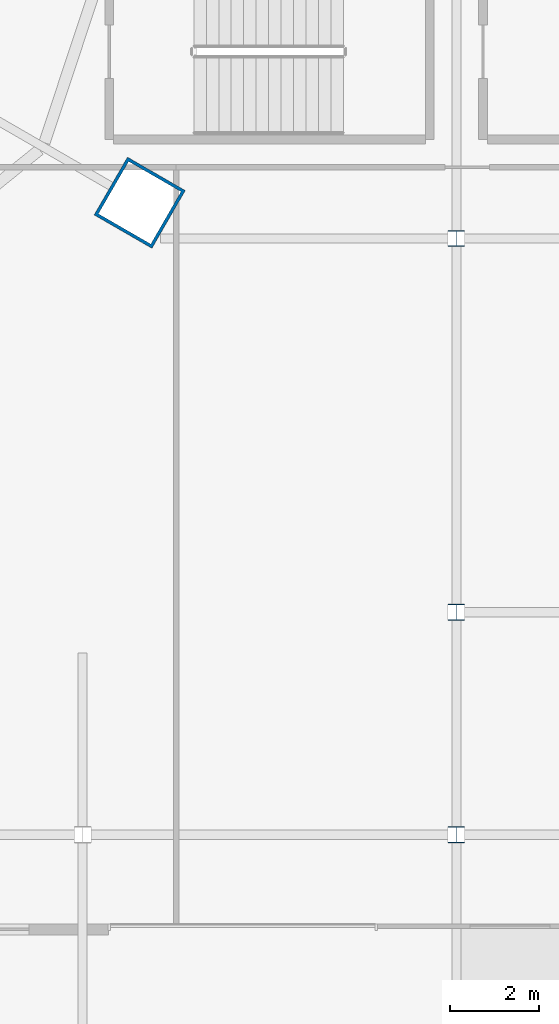
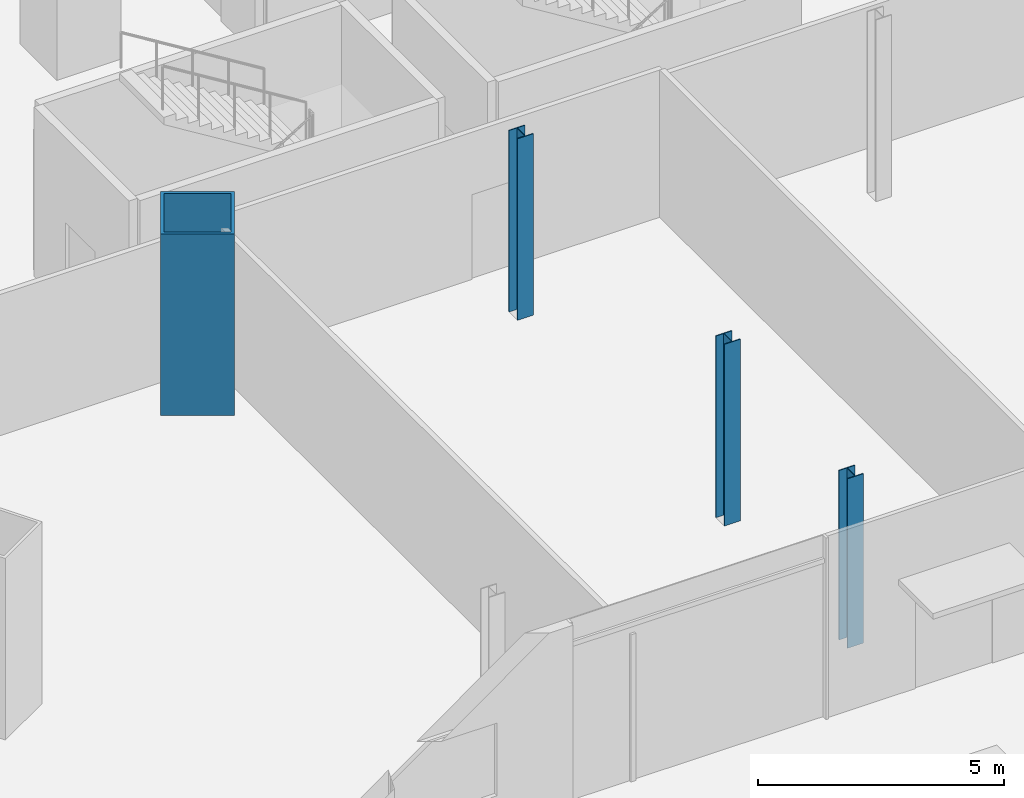
# One storey, part 2 of 52: 4 columns.
"""IFC4 building model written with IfcOpenShell, lengths in metres."""

import ifcopenshell
import ifcopenshell.guid

model = None  # the IFC model being written
_history = None  # IfcOwnerHistory: only IFC2X3 demands one
_inside = {}  # id of a spatial element -> (the spatial element, [elements in it])
_under = {}  # id of a project, library or spatial element -> (it, [spatial elements below it])
_declared = {}  # id of a project -> (the project, [libraries it declares])
_typed = {}  # id of a type object -> (the type object, [elements of that type])
_made_of = {}  # id of a material, layer set ... -> (it, [elements and type objects made of it])


def new_model(schema):
    """Start an empty IFC model of exactly this schema.

    Asked for "IFC4X3", IfcOpenShell would pick the latest addendum, in which some entities
    have other attributes; the version numbers below select the first issue.
    IFC2X3 requires an IfcOwnerHistory on every rooted entity: one is made here for all.
    """
    global model, _history
    if schema == "IFC4X3":
        model = ifcopenshell.file(schema_version=(4, 3, 0, 0))
    else:
        model = ifcopenshell.file(schema=schema)
    _inside.clear()
    _under.clear()
    _declared.clear()
    _typed.clear()
    _made_of.clear()
    _history = None
    if model.schema == "IFC2X3":
        org = make("IfcOrganization", Name="unknown")
        user = make(
            "IfcPersonAndOrganization",
            ThePerson=make("IfcPerson", FamilyName="unknown"),
            TheOrganization=org,
        )
        app = make(
            "IfcApplication",
            ApplicationDeveloper=org,
            Version="unknown",
            ApplicationFullName="unknown",
            ApplicationIdentifier="unknown",
        )
        _history = make(
            "IfcOwnerHistory",
            OwningUser=user,
            OwningApplication=app,
            ChangeAction="ADDED",
            CreationDate=0,
        )
    return model


def make(cls, **values):
    """One entity of the class cls with the attributes given. An attribute that is None is left unset."""
    return model.create_entity(
        cls, **{name: value for name, value in values.items() if value is not None}
    )


def rooted(cls, **values):
    """An entity with a GlobalId (a new one), such as an element, a storey or a relation."""
    return make(cls, GlobalId=ifcopenshell.guid.new(), OwnerHistory=_history, **values)


def si_unit(unit_type, name, prefix=None):
    """IfcSIUnit, for example si_unit("LENGTHUNIT", "METRE", prefix="MILLI")."""
    return make("IfcSIUnit", UnitType=unit_type, Prefix=prefix, Name=name)


def assignment(units):
    """IfcUnitAssignment: the units of a project."""
    return None if units is None else make("IfcUnitAssignment", Units=units)


def point(xyz):
    """IfcCartesianPoint."""
    return None if xyz is None else make("IfcCartesianPoint", Coordinates=xyz)


def direction(xyz):
    """IfcDirection."""
    return None if xyz is None else make("IfcDirection", DirectionRatios=xyz)


def frame(location, z_axis=None, x_axis=None):
    """IfcAxis2Placement3D, a coordinate frame: its origin and axes. An axis left out is left unset."""
    return make(
        "IfcAxis2Placement3D",
        Location=point(location),
        Axis=direction(z_axis),
        RefDirection=direction(x_axis),
    )


def frame_2d(location, x_axis=None):
    """IfcAxis2Placement2D, a coordinate frame in the plane: its origin and x axis."""
    return make(
        "IfcAxis2Placement2D", Location=point(location), RefDirection=direction(x_axis)
    )


def origin():
    """The frame at (0, 0, 0) with its axes left unset."""
    return frame((0.0, 0.0, 0.0))


def origin_2d():
    """The frame at (0, 0) in the plane with its x axis left unset."""
    return frame_2d((0.0, 0.0))


def place(relative_to, where):
    """IfcLocalPlacement: puts the frame where relative to a parent placement (None: the world)."""
    return make(
        "IfcLocalPlacement", PlacementRelTo=relative_to, RelativePlacement=where
    )


def context(
    kind, dimensions, precision=None, world=None, true_north=None, identifier=None
):
    """IfcGeometricRepresentationContext, for example the 3D "Model" context."""
    return make(
        "IfcGeometricRepresentationContext",
        ContextIdentifier=identifier,
        ContextType=kind,
        CoordinateSpaceDimension=dimensions,
        Precision=precision,
        WorldCoordinateSystem=world,
        TrueNorth=true_north,
    )


def subcontext(parent, identifier, kind, view, scale=None):
    """IfcGeometricRepresentationSubContext, for example "Body" below "Model"."""
    return make(
        "IfcGeometricRepresentationSubContext",
        ContextIdentifier=identifier,
        ContextType=kind,
        ParentContext=parent,
        TargetScale=scale,
        TargetView=view,
    )


def project(units=None, contexts=None):
    """IfcProject with its units and contexts."""
    return rooted(
        "IfcProject",
        Name="project",
        RepresentationContexts=contexts,
        UnitsInContext=assignment(units),
    )


def spatial(cls, under=None, at=None, **own):
    """A site, building, storey or space (cls), placed at a placement, below another one or the project."""
    s = rooted(cls, ObjectPlacement=at, **own)
    if under is not None:
        _under.setdefault(under.id(), (under, []))[1].append(s)
    return s


def profile(cls, at=None, kind="AREA", **sizes):
    """A parametric profile (cls). Its sizes go by their IFC names, for example OverallWidth=200.0."""
    return make(cls, ProfileType=kind, Position=at, **sizes)


def hollow_rectangle(**sizes):
    """IfcRectangleHollowProfileDef."""
    return profile("IfcRectangleHollowProfileDef", **sizes)


def i_section(**sizes):
    """IfcIShapeProfileDef."""
    return profile("IfcIShapeProfileDef", **sizes)


def extrude(swept, where, along, depth):
    """IfcExtrudedAreaSolid: the profile swept, set in the frame where, extruded along a direction by depth."""
    return make(
        "IfcExtrudedAreaSolid",
        SweptArea=swept,
        Position=where,
        ExtrudedDirection=direction(along),
        Depth=depth,
    )


def shape(context_of_items, identifier, shape_type, items):
    """IfcShapeRepresentation: the items that make up one representation, for example the "Body"."""
    return make(
        "IfcShapeRepresentation",
        ContextOfItems=context_of_items,
        RepresentationIdentifier=identifier,
        RepresentationType=shape_type,
        Items=items,
    )


def material(Name=None, Category=None):
    """IfcMaterial."""
    return make("IfcMaterial", Name=Name, Category=Category)


def material_profile(
    of_material, cross_section, Name=None, Category=None, Priority=None
):
    """IfcMaterialProfile: a cross section and its material."""
    return make(
        "IfcMaterialProfile",
        Name=Name,
        Material=of_material,
        Profile=cross_section,
        Priority=Priority,
        Category=Category,
    )


def profile_set(profiles, Name=None, composite=None):
    """IfcMaterialProfileSet."""
    return make(
        "IfcMaterialProfileSet",
        Name=Name,
        MaterialProfiles=profiles,
        CompositeProfile=composite,
    )


def made_of(thing, what):
    """Note that an element or type object is made of a material, layer set ...; save() writes the relation."""
    if what is not None:
        _made_of.setdefault(what.id(), (what, []))[1].append(thing)
    return thing


def type_object(cls, material=None, **own):
    """A type object (cls), such as IfcWallType, which elements share."""
    return made_of(rooted(cls, **own), material)


def element(
    cls,
    number,
    at=None,
    inside=None,
    cuts=None,
    type_object=None,
    material=None,
    context=None,
    identifier="Body",
    shape_type=None,
    held_by="IfcProductDefinitionShape",
    body=None,
    shapes=None,
    **own,
):
    """One element of the class cls, such as IfcWall. Its Tag is "e" and its number.

    at: its placement. inside: the storey or other place that contains it. cuts: it is an
    opening in that element (IfcRelVoidsElement). A single representation is given by context,
    identifier, shape_type and body (its items); several are given by shapes. held_by: the class
    of the entity that holds the representations. save() writes the other relations.
    """
    e = rooted(cls, Tag="e%d" % number, ObjectPlacement=at, **own)
    if body is not None:
        shapes = [shape(context, identifier, shape_type, body)]
    if shapes is not None:
        e.Representation = make(held_by, Representations=shapes)
    if inside is not None:
        _inside.setdefault(inside.id(), (inside, []))[1].append(e)
    if cuts is not None:
        rooted(
            "IfcRelVoidsElement", RelatingBuildingElement=cuts, RelatedOpeningElement=e
        )
    if type_object is not None:
        _typed.setdefault(type_object.id(), (type_object, []))[1].append(e)
    return made_of(e, material)


def aggregate(whole, parts):
    """IfcRelAggregates: a whole, such as a stair, and the parts it consists of."""
    return rooted("IfcRelAggregates", RelatingObject=whole, RelatedObjects=parts)


def save(model, path):
    """Write the relations noted so far, then the file.

    IfcRelAggregates (storeys below a building ...), IfcRelContainedInSpatialStructure (elements
    in a storey), IfcRelDefinesByType, IfcRelAssociatesMaterial and IfcRelDeclares: one each for
    every whole, place, type object, material and project.
    """
    for whole, parts in _under.values():
        aggregate(whole, parts)
    for where, things in _inside.values():
        rooted(
            "IfcRelContainedInSpatialStructure",
            RelatedElements=things,
            RelatingStructure=where,
        )
    for kind, things in _typed.values():
        rooted("IfcRelDefinesByType", RelatedObjects=things, RelatingType=kind)
    for what, things in _made_of.values():
        rooted("IfcRelAssociatesMaterial", RelatedObjects=things, RelatingMaterial=what)
    for by, libraries in _declared.values():
        rooted("IfcRelDeclares", RelatingContext=by, RelatedDefinitions=libraries)
    model.write(path)


model = new_model("IFC4")

# Units and contexts
model_context = context("Model", 3, precision=1e-05, world=origin(), true_north=direction((0.0, 1.0)))
body_context = subcontext(model_context, "Body", "Model", "MODEL_VIEW")
ifc_project = project(units=[si_unit("LENGTHUNIT", "METRE"), si_unit("AREAUNIT", "SQUARE_METRE"), si_unit("VOLUMEUNIT", "CUBIC_METRE"), si_unit("PLANEANGLEUNIT", "RADIAN"), si_unit("MASSUNIT", "GRAM", prefix="KILO")], contexts=[model_context])

# Site, building, storey
site_placement = place(None, origin())
site = spatial("IfcSite", under=ifc_project, at=site_placement, CompositionType="ELEMENT")
building_placement = place(site_placement, origin())
building = spatial("IfcBuilding", under=site, at=building_placement, Name="Rimbun Link Towers", CompositionType="ELEMENT")
storey_placement = place(building_placement, frame((0.0, 0.0, 21.0)))
storey = spatial("IfcBuildingStorey", under=building, at=storey_placement, Name="L04", CompositionType="ELEMENT", Elevation=21.0)

# Columns
ifc_material_1 = material(Name="Steel S460N", Category="steel")
ifc_material_profile_1 = material_profile(ifc_material_1, hollow_rectangle(XDim=1.5, YDim=1.5, WallThickness=0.070068359375, at=origin_2d()), Name="BOX 1500x1500x70")
ifc_profile_set_1 = profile_set([ifc_material_profile_1], Name="Steel S460N")
column_type_1 = type_object("IfcColumnType", Name="BOX 1500x1500x70", PredefinedType="COLUMN", material=ifc_profile_set_1)
column_1_placement = place(storey_placement, frame((-11.316650390625, -11.797119140625, 0.0), z_axis=(0.0, 0.0, 1.0), x_axis=(0.866025403784, -0.5, 0.0)))
element("IfcColumn", 1, at=column_1_placement, inside=storey, type_object=column_type_1, Name="Mega column T1 L04 22", PredefinedType="COLUMN", context=body_context, shape_type="SweptSolid", body=[
    extrude(hollow_rectangle(XDim=1.5, YDim=1.5, WallThickness=0.070068359375, at=origin_2d()), origin(), (0.0, 0.0, 1.0), 4.5),
])
ifc_material_2 = material(Name="Steel S355J2", Category="steel")
ifc_material_profile_2 = material_profile(ifc_material_2, i_section(OverallWidth=0.37060546875, OverallDepth=0.362060546875, WebThickness=0.01220703125, FlangeThickness=0.020751953125, at=origin_2d()), Name="UC 356x368x153")
ifc_profile_set_2 = profile_set([ifc_material_profile_2], Name="Steel S355J2")
column_type_2 = type_object("IfcColumnType", Name="UC 356x368x153", PredefinedType="COLUMN", material=ifc_profile_set_2)
column_2_placement = place(storey_placement, frame((-4.199951171875, -26.0, 0.0), z_axis=(0.0, 0.0, 1.0), x_axis=(1.0, 0.0, 0.0)))
element("IfcColumn", 2, at=column_2_placement, inside=storey, type_object=column_type_2, Name="Column L04 -4.2 -26.0", PredefinedType="COLUMN", context=body_context, shape_type="SweptSolid", body=[
    extrude(i_section(OverallWidth=0.37060546875, OverallDepth=0.362060546875, WebThickness=0.01220703125, FlangeThickness=0.020751953125, at=origin_2d()), origin(), (0.0, 0.0, 1.0), 4.199951171875),
])
for number, where, z_axis, x_axis, name in (
    (3, (-4.199951171875, -21.0, 0.0), (0.0, 0.0, 1.0), (1.0, 0.0, 0.0), "Column L04 -4.2 -21.0"),
    (4, (-4.199951171875, -12.60009765625, 0.0), (0.0, 0.0, 1.0), (1.0, 0.0, 0.0), "Column L04 -4.2 -12.6"),
):
    element("IfcColumn", number, at=place(storey_placement, frame(where, z_axis=z_axis, x_axis=x_axis)), inside=storey, type_object=column_type_2, Name=name, PredefinedType="COLUMN", context=body_context, shape_type="SweptSolid", body=[
        extrude(i_section(OverallWidth=0.37060546875, OverallDepth=0.362060546875, WebThickness=0.01220703125, FlangeThickness=0.020751953125, at=origin_2d()), origin(), (0.0, 0.0, 1.0), 4.5),
    ])

save(model, "model.ifc")
